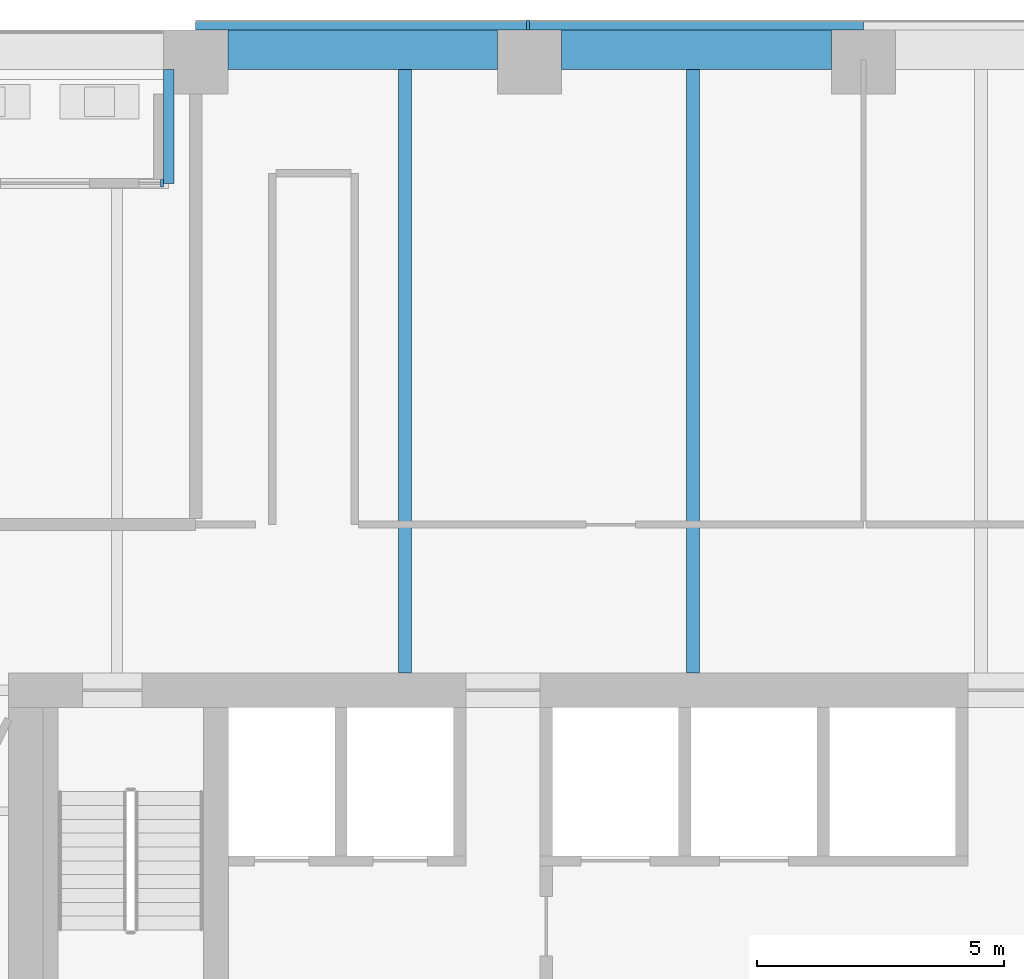
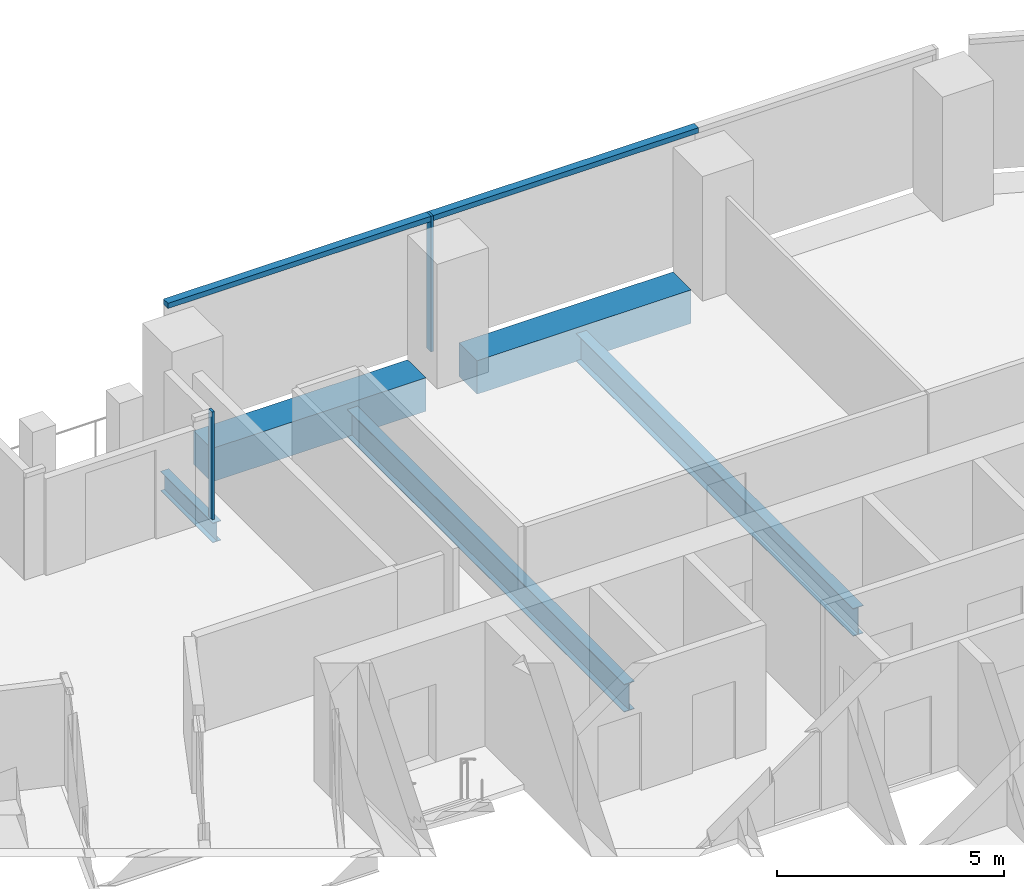
# One storey, part 9 of 26: 5 beams, 4 members, 2 elements without a shape of their own.
"""IFC4 building model written with IfcOpenShell, lengths in metres."""

from ifc_helpers import new_model, si_unit, direction, frame, origin, origin_2d, place, context, subcontext, project, spatial, rectangle, i_section, extrude, material, layer, layer_set, material_profile, profile_set, type_object, element, aggregate, save


model = new_model("IFC4")

# Units and contexts
model_context = context("Model", 3, precision=1e-05, world=origin(), true_north=direction((0.0, 1.0)))
body_context = subcontext(model_context, "Body", "Model", "MODEL_VIEW")
ifc_project = project(units=[si_unit("LENGTHUNIT", "METRE"), si_unit("AREAUNIT", "SQUARE_METRE"), si_unit("VOLUMEUNIT", "CUBIC_METRE"), si_unit("PLANEANGLEUNIT", "RADIAN"), si_unit("MASSUNIT", "GRAM", prefix="KILO")], contexts=[model_context])

# Site, building, storey
site_placement = place(None, origin())
site = spatial("IfcSite", under=ifc_project, at=site_placement, CompositionType="ELEMENT")
building_placement = place(site_placement, origin())
building = spatial("IfcBuilding", under=site, at=building_placement, Name="Isthmus Gate Tower", CompositionType="ELEMENT")
storey_placement = place(building_placement, frame((0.0, 0.0, 203.64990234375)))
storey = spatial("IfcBuildingStorey", under=building, at=storey_placement, Name="L51", CompositionType="ELEMENT", Elevation=203.64990234375)

# Curtain wall, members
ifc_material_1 = material(Name="Aluminium, pale champagne anodised", Category="aluminium")
ifc_layer_1 = layer(ifc_material_1, 0.199951171875)
ifc_layer_set_1 = layer_set([ifc_layer_1], Name="CW-1 UNITISED CURTAIN WALL 200 DEEP")
curtain_wall_type_1 = type_object("IfcCurtainWallType", Name="CW-1 UNITISED CURTAIN WALL 200 DEEP", PredefinedType="NOTDEFINED", material=ifc_layer_set_1)
curtain_wall_1_placement = place(storey_placement, origin())
curtain_wall_1 = element("IfcCurtainWall", 1, at=curtain_wall_1_placement, inside=storey, type_object=curtain_wall_type_1, Name="CW-1 N L51", PredefinedType="NOTDEFINED")
ifc_material_2 = material(Name="Aluminium, pale champagne anodised", Category="aluminium")
ifc_material_profile_1 = material_profile(ifc_material_2, rectangle(XDim=0.06005859375, YDim=0.199951171875, at=origin_2d()), Name="60x200")
ifc_profile_set_1 = profile_set([ifc_material_profile_1], Name="Aluminium, pale champagne anodised")
member_type_1 = type_object("IfcMemberType", Name="CW-1 MULLION 60 X 200", PredefinedType="MULLION", material=ifc_profile_set_1)
member_1_placement = place(storey_placement, frame((-4.49169921875, 28.10009765625, 0.0), z_axis=(0.0, 0.0, 1.0), x_axis=(-1.0, 0.0, 0.0)))
member_1 = element("IfcMember", 2, at=member_1_placement, type_object=member_type_1, Name="CW-1 mullion", PredefinedType="MULLION", context=body_context, shape_type="SweptSolid", body=[
    extrude(rectangle(XDim=0.06005859375, YDim=0.199951171875, at=origin_2d()), origin(), (0.0, 0.0, 1.0), 3.650146484375),
])
ifc_material_3 = material(Name="Aluminium, pale champagne anodised", Category="aluminium")
ifc_material_profile_2 = material_profile(ifc_material_3, rectangle(XDim=0.199951171875, YDim=0.139892578125, at=origin_2d()), Name="200x140")
ifc_profile_set_2 = profile_set([ifc_material_profile_2], Name="Aluminium, pale champagne anodised")
member_type_2 = type_object("IfcMemberType", Name="CW-1 TRANSOM 200 X 140", PredefinedType="USERDEFINED", material=ifc_profile_set_2)
member_2_placement = place(storey_placement, frame((2.288330078125, 28.10009765625, 3.580078125), z_axis=(-1.0, 0.0, 0.0), x_axis=(0.0, -1.0, 0.0)))
member_2 = element("IfcMember", 3, at=member_2_placement, type_object=member_type_2, Name="CW-1 transom", ObjectType="TRANSOM", PredefinedType="USERDEFINED", context=body_context, shape_type="SweptSolid", body=[
    extrude(rectangle(XDim=0.199951171875, YDim=0.139892578125, at=origin_2d()), origin(), (0.0, 0.0, 1.0), 6.75),
])
member_3_placement = place(storey_placement, frame((-4.521728515625, 28.10009765625, 3.580078125), z_axis=(-1.0, 0.0, 0.0), x_axis=(0.0, -1.0, 0.0)))
member_3 = element("IfcMember", 4, at=member_3_placement, type_object=member_type_2, Name="CW-1 transom", ObjectType="TRANSOM", PredefinedType="USERDEFINED", context=body_context, shape_type="SweptSolid", body=[
    extrude(rectangle(XDim=0.199951171875, YDim=0.139892578125, at=origin_2d()), origin(), (0.0, 0.0, 1.0), 6.690185546875),
])
aggregate(curtain_wall_1, [member_2, member_1, member_3])

# Curtain wall, member
ifc_material_4 = material(Name="Aluminium, pale champagne anodised", Category="aluminium")
ifc_layer_2 = layer(ifc_material_4, 0.14990234375)
ifc_layer_set_2 = layer_set([ifc_layer_2], Name="CW-6 LOGGIA BACK WALL GLAZING 150 DEEP")
curtain_wall_type_2 = type_object("IfcCurtainWallType", Name="CW-6 LOGGIA BACK WALL GLAZING 150 DEEP", PredefinedType="NOTDEFINED", material=ifc_layer_set_2)
curtain_wall_2_placement = place(storey_placement, origin())
curtain_wall_2 = element("IfcCurtainWall", 5, at=curtain_wall_2_placement, inside=storey, type_object=curtain_wall_type_2, Name="CW-6 N L51", PredefinedType="NOTDEFINED")
ifc_material_5 = material(Name="Aluminium, pale champagne anodised", Category="aluminium")
ifc_material_profile_3 = material_profile(ifc_material_5, rectangle(XDim=0.06005859375, YDim=0.14990234375, at=origin_2d()), Name="60x150")
ifc_profile_set_3 = profile_set([ifc_material_profile_3], Name="Aluminium, pale champagne anodised")
member_type_3 = type_object("IfcMemberType", Name="CW-6 MULLION 60 X 150", PredefinedType="MULLION", material=ifc_profile_set_3)
member_4_placement = place(storey_placement, frame((-11.891845703125, 24.89990234375, 0.0), z_axis=(0.0, 0.0, 1.0), x_axis=(-1.0, 0.0, 0.0)))
member_4 = element("IfcMember", 6, at=member_4_placement, type_object=member_type_3, Name="CW-6 mullion", PredefinedType="MULLION", context=body_context, shape_type="SweptSolid", body=[
    extrude(rectangle(XDim=0.06005859375, YDim=0.14990234375, at=origin_2d()), origin(), (0.0, 0.0, 1.0), 2.900146484375),
])
aggregate(curtain_wall_2, [member_4])

# Beams
ifc_material_6 = material(Name="Concrete f'c 60 MPa", Category="concrete")
ifc_material_profile_4 = material_profile(ifc_material_6, rectangle(XDim=0.800048828125, YDim=0.89990234375, at=origin_2d()), Name="RC 800X900")
ifc_profile_set_4 = profile_set([ifc_material_profile_4], Name="Concrete f'c 60 MPa")
beam_type_1 = type_object("IfcBeamType", Name="RC SPANDREL 800 X 900", PredefinedType="SPANDREL", material=ifc_profile_set_4)
beam_1_placement = place(storey_placement, frame((-10.561767578125, 27.60009765625, -0.449951171875), z_axis=(1.0, 0.0, 0.0), x_axis=(0.0, 1.0, 0.0)))
element("IfcBeam", 7, at=beam_1_placement, inside=storey, type_object=beam_type_1, Name="str-spandrel-L51-27", PredefinedType="SPANDREL", context=body_context, shape_type="SweptSolid", body=[
    extrude(rectangle(XDim=0.800048828125, YDim=0.89990234375, at=origin_2d()), origin(), (0.0, 0.0, 1.0), 5.449951171875),
])
beam_2_placement = place(storey_placement, frame((-3.811767578125, 27.60009765625, -0.449951171875), z_axis=(1.0, 0.0, 0.0), x_axis=(0.0, 1.0, 0.0)))
element("IfcBeam", 8, at=beam_2_placement, inside=storey, type_object=beam_type_1, Name="str-spandrel-L51-28", PredefinedType="SPANDREL", context=body_context, shape_type="SweptSolid", body=[
    extrude(rectangle(XDim=0.800048828125, YDim=0.89990234375, at=origin_2d()), origin(), (0.0, 0.0, 1.0), 5.4501953125),
])
ifc_material_7 = material(Name="Structural steel ASTM A992 Gr 50", Category="steel")
ifc_material_profile_5 = material_profile(ifc_material_7, i_section(OverallWidth=0.263427734375, OverallDepth=0.749267578125, WebThickness=0.0126953125, FlangeThickness=0.015869140625, at=origin_2d()), Name="W30X90")
ifc_profile_set_5 = profile_set([ifc_material_profile_5], Name="Structural steel ASTM A992 Gr 50")
beam_type_2 = type_object("IfcBeamType", Name="STEEL FLOOR BEAM W30X90", PredefinedType="JOIST", material=ifc_profile_set_5)
for number, where, z_axis, x_axis, name in (
    (9, (-6.979248046875, 15.0, -0.524658203125), (0.0, 1.0, 0.0), (-1.0, 0.0, 0.0), "str-beam-L51-08-02"),
    (10, (-1.15625, 15.0, -0.524658203125), (0.0, 1.0, 0.0), (-1.0, 0.0, 0.0), "str-beam-L51-08-03"),
):
    element("IfcBeam", number, at=place(storey_placement, frame(where, z_axis=z_axis, x_axis=x_axis)), inside=storey, type_object=beam_type_2, Name=name, PredefinedType="JOIST", context=body_context, shape_type="SweptSolid", body=[
        extrude(i_section(OverallWidth=0.263427734375, OverallDepth=0.749267578125, WebThickness=0.0126953125, FlangeThickness=0.015869140625, at=origin_2d()), origin(), (0.0, 0.0, 1.0), 12.199951171875),
    ])
ifc_material_8 = material(Name="Structural steel ASTM A992 Gr 50", Category="steel")
ifc_material_profile_6 = material_profile(ifc_material_8, i_section(OverallWidth=0.20947265625, OverallDepth=0.533447265625, WebThickness=0.009521484375, FlangeThickness=0.015869140625, at=origin_2d()), Name="W21X62")
ifc_profile_set_6 = profile_set([ifc_material_profile_6], Name="Structural steel ASTM A992 Gr 50")
beam_type_3 = type_object("IfcBeamType", Name="STEEL TRIMMER W21X62", PredefinedType="BEAM", material=ifc_profile_set_6)
beam_3_placement = place(storey_placement, frame((-11.757080078125, 27.199951171875, -0.41650390625), z_axis=(0.0, -1.0, 0.0), x_axis=(1.0, 0.0, 0.0)))
element("IfcBeam", 11, at=beam_3_placement, inside=storey, type_object=beam_type_3, Name="str-loggiatrim-L51-01-A", PredefinedType="BEAM", context=body_context, shape_type="SweptSolid", body=[
    extrude(i_section(OverallWidth=0.20947265625, OverallDepth=0.533447265625, WebThickness=0.009521484375, FlangeThickness=0.015869140625, at=origin_2d()), origin(), (0.0, 0.0, 1.0), 2.3046875),
])

save(model, "model.ifc")
